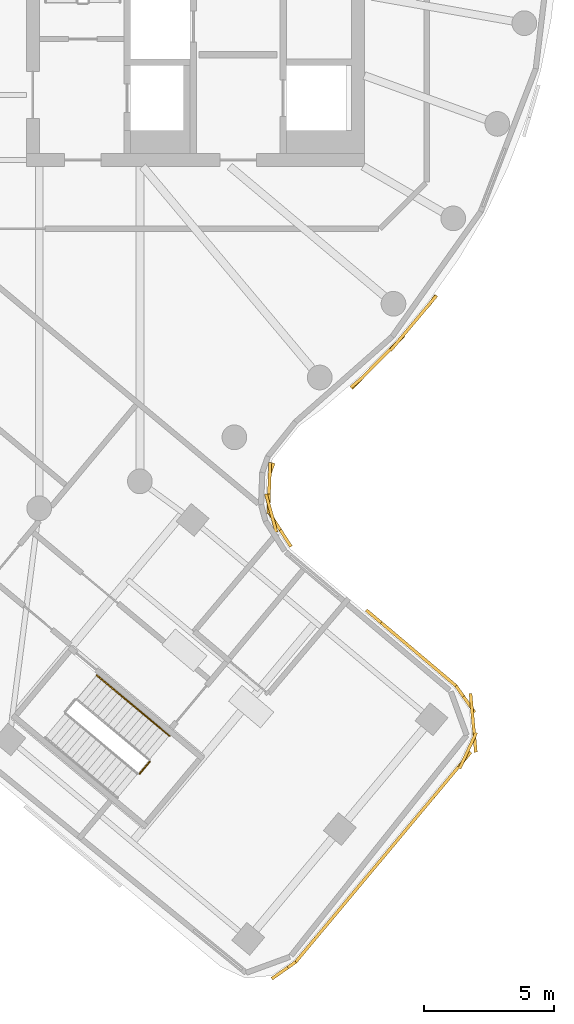
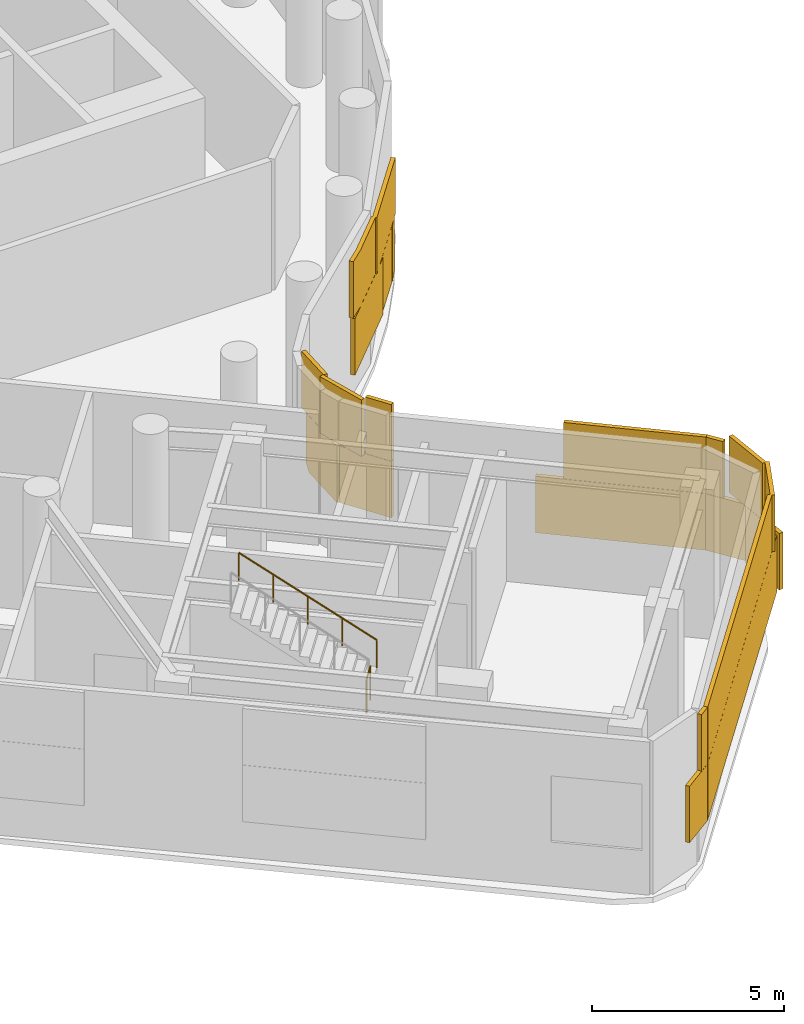
# One storey, part 14 of 19: 4 coverings, 2 railings.
"""IFC4 building model written with IfcOpenShell, lengths in metres."""

from ifc_helpers import new_model, si_unit, direction, frame, origin, origin_2d, place, context, subcontext, project, spatial, rectangle, circle, extrude, material, layer, layer_set, type_object, element, save


model = new_model("IFC4")

# Units and contexts
model_context = context("Model", 3, precision=1e-05, world=origin(), true_north=direction((0.0, 1.0)))
body_context = subcontext(model_context, "Body", "Model", "MODEL_VIEW")
ifc_project = project(units=[si_unit("LENGTHUNIT", "METRE"), si_unit("AREAUNIT", "SQUARE_METRE"), si_unit("VOLUMEUNIT", "CUBIC_METRE"), si_unit("PLANEANGLEUNIT", "RADIAN"), si_unit("MASSUNIT", "GRAM", prefix="KILO")], contexts=[model_context])

# Site, building, storey
site_placement = place(None, origin())
site = spatial("IfcSite", under=ifc_project, at=site_placement, CompositionType="ELEMENT")
building_placement = place(site_placement, origin())
building = spatial("IfcBuilding", under=site, at=building_placement, Name="Tamarind Cross Interchange Tower", CompositionType="ELEMENT")
storey_placement = place(building_placement, frame((0.0, 0.0, 214.89990234375)))
storey = spatial("IfcBuildingStorey", under=building, at=storey_placement, Name="L54", CompositionType="ELEMENT", Elevation=214.89990234375)

# Railings
ifc_material_1 = material(Name="Stair guard")
railing_type_1 = type_object("IfcRailingType", Name="Stair guard", PredefinedType="GUARDRAIL", material=ifc_material_1)
railing_1_placement = place(storey_placement, frame((7.858154296875, -32.857177734375, 2.5)))
element("IfcRailing", 1, at=railing_1_placement, inside=storey, type_object=railing_type_1, Name="L54 ST6 stair guard 2", PredefinedType="GUARDRAIL", context=body_context, shape_type="SweptSolid", body=[
    extrude(circle(Radius=0.02392578125, at=origin_2d()), frame((0.0, 0.0, 1.076171875), z_axis=(0.640784470718, 0.767720823012, 0.0), x_axis=(-0.767720823012, 0.640784470718, 0.0)), (0.0, 0.0, 1.0), 0.60009765625),
    extrude(circle(Radius=0.02099609375, at=origin_2d()), origin(), (0.0, 0.0, 1.0), 1.052001953125),
    extrude(circle(Radius=0.02099609375, at=origin_2d()), frame((0.384521484375, 0.460693359375, 0.0)), (0.0, 0.0, 1.0), 1.052001953125),
])
ifc_material_2 = material(Name="Stair handrail")
railing_type_2 = type_object("IfcRailingType", Name="Stair handrail", PredefinedType="HANDRAIL", material=ifc_material_2)
railing_2_placement = place(storey_placement, frame((9.00537109375, -31.40478515625, 2.666748046875)))
element("IfcRailing", 2, at=railing_2_placement, inside=storey, type_object=railing_type_2, Name="L54 ST6 stair handrail 2", PredefinedType="HANDRAIL", context=body_context, shape_type="SweptSolid", body=[
    extrude(circle(Radius=0.02392578125, at=origin_2d()), frame((0.0, 0.0, 0.8759765625), z_axis=(-0.646372656024, 0.539425000698, 0.539650866919), x_axis=(-0.64073180246, -0.76776477994, 0.0)), (0.0, 0.0, 1.0), 4.32373046875),
    extrude(circle(Radius=0.02099609375, at=origin_2d()), origin(), (0.0, 0.0, 1.0), 0.851806640625),
    extrude(circle(Radius=0.02099609375, at=origin_2d()), frame((-0.69873046875, 0.5830078125, 0.583251953125)), (0.0, 0.0, 1.0), 0.851806640625),
    extrude(circle(Radius=0.02099609375, at=origin_2d()), frame((-1.3974609375, 1.166015625, 1.16650390625)), (0.0, 0.0, 1.0), 0.851806640625),
    extrude(circle(Radius=0.02099609375, at=origin_2d()), frame((-2.095947265625, 1.749267578125, 1.75)), (0.0, 0.0, 1.0), 0.851806640625),
    extrude(circle(Radius=0.02099609375, at=origin_2d()), frame((-2.794677734375, 2.332275390625, 2.333251953125)), (0.0, 0.0, 1.0), 0.851806640625),
])

# Coverings
ifc_material_3 = material(Name="Terracotta", Category="masonry")
ifc_layer = layer(ifc_material_3, 0.1201171875)
ifc_layer_set = layer_set([ifc_layer], Name="Terracotta")
covering_type = type_object("IfcCoveringType", Name="Terracotta baguette screen unit", PredefinedType="MOLDING", material=ifc_layer_set)
covering_1_placement = place(storey_placement, origin())
element("IfcCovering", 3, at=covering_1_placement, inside=storey, type_object=covering_type, Name="SCR-L54-03-02", PredefinedType="MOLDING", context=body_context, shape_type="SweptSolid", body=[
    extrude(rectangle(XDim=1.126953125, YDim=0.1201171875, at=origin_2d()), frame((13.402587890625, -40.4169921875, 1.404052734375), z_axis=(0.0, 0.0, 1.0), x_axis=(0.81764359992, 0.575724711567, 0.0)), (0.0, 0.0, 1.0), 1.7919921875),
    extrude(rectangle(XDim=0.376953125, YDim=0.1201171875, at=origin_2d()), frame((13.708984375, -40.201171875, 3.2041015625), z_axis=(0.0, 0.0, 1.0), x_axis=(0.81764359992, 0.575724711567, 0.0)), (0.0, 0.0, 1.0), 1.7919921875),
])
covering_2_placement = place(storey_placement, origin())
element("IfcCovering", 4, at=covering_2_placement, inside=storey, type_object=covering_type, Name="SCR-L54-04-00", PredefinedType="MOLDING", context=body_context, shape_type="SweptSolid", body=[
    extrude(rectangle(XDim=1.510009765625, YDim=0.1201171875, at=origin_2d()), frame((14.339599609375, -39.51953125, 1.404052734375), z_axis=(0.0, 0.0, 1.0), x_axis=(0.640774549773, 0.767729103501, 0.0)), (0.0, 0.0, 1.0), 1.7919921875),
    extrude(rectangle(XDim=1.52001953125, YDim=0.1201171875, at=origin_2d()), frame((15.30078125, -38.3681640625, 1.404052734375), z_axis=(0.0, 0.0, 1.0), x_axis=(0.640774549773, 0.767729103501, 0.0)), (0.0, 0.0, 1.0), 1.7919921875),
    extrude(rectangle(XDim=1.52001953125, YDim=0.1201171875, at=origin_2d()), frame((16.261962890625, -37.216552734375, 1.404052734375), z_axis=(0.0, 0.0, 1.0), x_axis=(0.640774549773, 0.767729103501, 0.0)), (0.0, 0.0, 1.0), 1.7919921875),
    extrude(rectangle(XDim=1.52001953125, YDim=0.1201171875, at=origin_2d()), frame((17.22314453125, -36.06494140625, 1.404052734375), z_axis=(0.0, 0.0, 1.0), x_axis=(0.640774549773, 0.767729103501, 0.0)), (0.0, 0.0, 1.0), 1.7919921875),
    extrude(rectangle(XDim=1.52001953125, YDim=0.1201171875, at=origin_2d()), frame((18.184326171875, -34.913330078125, 1.404052734375), z_axis=(0.0, 0.0, 1.0), x_axis=(0.640774549773, 0.767729103501, 0.0)), (0.0, 0.0, 1.0), 1.7919921875),
    extrude(rectangle(XDim=1.52001953125, YDim=0.1201171875, at=origin_2d()), frame((19.1455078125, -33.76171875, 1.404052734375), z_axis=(0.0, 0.0, 1.0), x_axis=(0.640774549773, 0.767729103501, 0.0)), (0.0, 0.0, 1.0), 1.7919921875),
    extrude(rectangle(XDim=1.52001953125, YDim=0.1201171875, at=origin_2d()), frame((20.106689453125, -32.610107421875, 1.404052734375), z_axis=(0.0, 0.0, 1.0), x_axis=(0.640774549773, 0.767729103501, 0.0)), (0.0, 0.0, 1.0), 1.7919921875),
    extrude(rectangle(XDim=1.52001953125, YDim=0.1201171875, at=origin_2d()), frame((20.71826171875, -31.2734375, 1.404052734375), z_axis=(0.0, 0.0, 1.0), x_axis=(-0.089770425844, 0.995962484556, 0.0)), (0.0, 0.0, 1.0), 1.7919921875),
    extrude(rectangle(XDim=1.259521484375, YDim=0.1201171875, at=origin_2d()), frame((20.3779296875, -29.98388671875, 1.404052734375), z_axis=(0.0, 0.0, 1.0), x_axis=(-0.575724711567, 0.81764359992, 0.0)), (0.0, 0.0, 1.0), 1.7919921875),
    extrude(rectangle(XDim=0.760009765625, YDim=0.1201171875, at=origin_2d()), frame((14.099365234375, -39.8076171875, 3.2041015625), z_axis=(0.0, 0.0, 1.0), x_axis=(0.640774549773, 0.767729103501, 0.0)), (0.0, 0.0, 1.0), 1.7919921875),
    extrude(rectangle(XDim=1.52001953125, YDim=0.1201171875, at=origin_2d()), frame((14.8203125, -38.94384765625, 3.2041015625), z_axis=(0.0, 0.0, 1.0), x_axis=(0.640774549773, 0.767729103501, 0.0)), (0.0, 0.0, 1.0), 1.7919921875),
    extrude(rectangle(XDim=1.52001953125, YDim=0.1201171875, at=origin_2d()), frame((15.781494140625, -37.792236328125, 3.2041015625), z_axis=(0.0, 0.0, 1.0), x_axis=(0.640774549773, 0.767729103501, 0.0)), (0.0, 0.0, 1.0), 1.7919921875),
    extrude(rectangle(XDim=1.52001953125, YDim=0.1201171875, at=origin_2d()), frame((16.74267578125, -36.640625, 3.2041015625), z_axis=(0.0, 0.0, 1.0), x_axis=(0.640774549773, 0.767729103501, 0.0)), (0.0, 0.0, 1.0), 1.7919921875),
    extrude(rectangle(XDim=1.52001953125, YDim=0.1201171875, at=origin_2d()), frame((17.703857421875, -35.489013671875, 3.2041015625), z_axis=(0.0, 0.0, 1.0), x_axis=(0.640774549773, 0.767729103501, 0.0)), (0.0, 0.0, 1.0), 1.7919921875),
    extrude(rectangle(XDim=1.52001953125, YDim=0.1201171875, at=origin_2d()), frame((18.664794921875, -34.33740234375, 3.2041015625), z_axis=(0.0, 0.0, 1.0), x_axis=(0.640774549773, 0.767729103501, 0.0)), (0.0, 0.0, 1.0), 1.7919921875),
    extrude(rectangle(XDim=1.52001953125, YDim=0.1201171875, at=origin_2d()), frame((19.6259765625, -33.185791015625, 3.2041015625), z_axis=(0.0, 0.0, 1.0), x_axis=(0.640774549773, 0.767729103501, 0.0)), (0.0, 0.0, 1.0), 1.7919921875),
    extrude(rectangle(XDim=1.52001953125, YDim=0.1201171875, at=origin_2d()), frame((20.482177734375, -31.9677734375, 3.2041015625), z_axis=(0.0, 0.0, 1.0), x_axis=(0.420237772989, 0.907414025764, 0.0)), (0.0, 0.0, 1.0), 1.7919921875),
    extrude(rectangle(XDim=1.52001953125, YDim=0.1201171875, at=origin_2d()), frame((20.65087890625, -30.526611328125, 3.2041015625), z_axis=(0.0, 0.0, 1.0), x_axis=(-0.089770425844, 0.995962484556, 0.0)), (0.0, 0.0, 1.0), 1.7919921875),
    extrude(rectangle(XDim=0.509521484375, YDim=0.1201171875, at=origin_2d()), frame((20.162109375, -29.67724609375, 3.2041015625), z_axis=(0.0, 0.0, 1.0), x_axis=(-0.575724711567, 0.81764359992, 0.0)), (0.0, 0.0, 1.0), 1.7919921875),
])
covering_3_placement = place(storey_placement, origin())
element("IfcCovering", 5, at=covering_3_placement, inside=storey, type_object=covering_type, Name="SCR-L54-05-00", PredefinedType="MOLDING", context=body_context, shape_type="SweptSolid", body=[
    extrude(rectangle(XDim=1.510009765625, YDim=0.1201171875, at=origin_2d()), frame((19.4453125, -28.9892578125, 1.404052734375), z_axis=(0.0, 0.0, 1.0), x_axis=(-0.764191475133, 0.64498944901, 0.0)), (0.0, 0.0, 1.0), 1.7919921875),
    extrude(rectangle(XDim=1.52001953125, YDim=0.1201171875, at=origin_2d()), frame((18.298828125, -28.02197265625, 1.404052734375), z_axis=(0.0, 0.0, 1.0), x_axis=(-0.764191475133, 0.64498944901, 0.0)), (0.0, 0.0, 1.0), 1.7919921875),
    extrude(rectangle(XDim=1.52001953125, YDim=0.1201171875, at=origin_2d()), frame((17.152587890625, -27.054443359375, 1.404052734375), z_axis=(0.0, 0.0, 1.0), x_axis=(-0.764191475133, 0.64498944901, 0.0)), (0.0, 0.0, 1.0), 1.7919921875),
    extrude(rectangle(XDim=0.760009765625, YDim=0.1201171875, at=origin_2d()), frame((19.731689453125, -29.231201171875, 3.2041015625), z_axis=(0.0, 0.0, 1.0), x_axis=(-0.764191475133, 0.64498944901, 0.0)), (0.0, 0.0, 1.0), 1.7919921875),
    extrude(rectangle(XDim=1.52001953125, YDim=0.1201171875, at=origin_2d()), frame((18.8720703125, -28.505615234375, 3.2041015625), z_axis=(0.0, 0.0, 1.0), x_axis=(-0.764191475133, 0.64498944901, 0.0)), (0.0, 0.0, 1.0), 1.7919921875),
    extrude(rectangle(XDim=1.52001953125, YDim=0.1201171875, at=origin_2d()), frame((17.725830078125, -27.5380859375, 3.2041015625), z_axis=(0.0, 0.0, 1.0), x_axis=(-0.764191475133, 0.64498944901, 0.0)), (0.0, 0.0, 1.0), 1.7919921875),
])
covering_4_placement = place(storey_placement, origin())
element("IfcCovering", 6, at=covering_4_placement, inside=storey, type_object=covering_type, Name="SCR-L54-06-00", PredefinedType="MOLDING", context=body_context, shape_type="SweptSolid", body=[
    extrude(rectangle(XDim=1.510009765625, YDim=0.1201171875, at=origin_2d()), frame((13.26953125, -23.488037109375, 1.404052734375), z_axis=(0.0, 0.0, 1.0), x_axis=(-0.54043201221, 0.841387687204, 0.0)), (0.0, 0.0, 1.0), 1.7919921875),
    extrude(rectangle(XDim=1.52001953125, YDim=0.1201171875, at=origin_2d()), frame((12.833740234375, -22.09716796875, 1.404052734375), z_axis=(0.0, 0.0, 1.0), x_axis=(0.03771882243, 0.999288392024, 0.0)), (0.0, 0.0, 1.0), 1.7919921875),
    extrude(rectangle(XDim=0.46630859375, YDim=0.1201171875, at=origin_2d()), frame((12.9306640625, -21.13134765625, 1.404052734375), z_axis=(0.0, 0.0, 1.0), x_axis=(0.335434954625, 0.942063369002, 0.0)), (0.0, 0.0, 1.0), 1.7919921875),
    extrude(rectangle(XDim=1.353759765625, YDim=0.1201171875, at=origin_2d()), frame((16.48095703125, -17.5576171875, 1.404052734375), z_axis=(0.0, 0.0, 1.0), x_axis=(0.704057148523, 0.710143317658, 0.0)), (0.0, 0.0, 1.0), 1.7919921875),
    extrude(rectangle(XDim=1.52001953125, YDim=0.1201171875, at=origin_2d()), frame((17.48193359375, -16.548095703125, 1.404052734375), z_axis=(0.0, 0.0, 1.0), x_axis=(0.704057148523, 0.710143317658, 0.0)), (0.0, 0.0, 1.0), 1.7919921875),
    extrude(rectangle(XDim=1.52001953125, YDim=0.1201171875, at=origin_2d()), frame((18.47314453125, -15.423583984375, 1.404052734375), z_axis=(0.0, 0.0, 1.0), x_axis=(0.643009266048, 0.765858396687, 0.0)), (0.0, 0.0, 1.0), 1.7919921875),
    extrude(rectangle(XDim=0.5009765625, YDim=0.1201171875, at=origin_2d()), frame((19.10888671875, -14.657958984375, 1.404052734375), z_axis=(0.0, 0.0, 1.0), x_axis=(0.577568978284, 0.816341886298, 0.0)), (0.0, 0.0, 1.0), 1.7919921875),
    extrude(rectangle(XDim=0.760009765625, YDim=0.1201171875, at=origin_2d()), frame((13.47216796875, -23.8037109375, 3.2041015625), z_axis=(0.0, 0.0, 1.0), x_axis=(-0.54043201221, 0.841387687204, 0.0)), (0.0, 0.0, 1.0), 1.7919921875),
    extrude(rectangle(XDim=1.52001953125, YDim=0.1201171875, at=origin_2d()), frame((12.91650390625, -22.833740234375, 3.2041015625), z_axis=(0.0, 0.0, 1.0), x_axis=(-0.26346403158, 0.964669220025, 0.0)), (0.0, 0.0, 1.0), 1.7919921875),
    extrude(rectangle(XDim=1.21630859375, YDim=0.1201171875, at=origin_2d()), frame((12.8564453125, -21.494384765625, 3.2041015625), z_axis=(0.0, 0.0, 1.0), x_axis=(0.03771882243, 0.999288392024, 0.0)), (0.0, 0.0, 1.0), 1.7919921875),
    extrude(rectangle(XDim=0.603759765625, YDim=0.1201171875, at=origin_2d()), frame((16.203125, -17.80908203125, 3.2041015625), z_axis=(0.0, 0.0, 1.0), x_axis=(0.760295606781, 0.64957723968, 0.0)), (0.0, 0.0, 1.0), 1.7919921875),
    extrude(rectangle(XDim=1.52001953125, YDim=0.1201171875, at=origin_2d()), frame((16.953857421875, -17.08056640625, 3.2041015625), z_axis=(0.0, 0.0, 1.0), x_axis=(0.704057148523, 0.710143317658, 0.0)), (0.0, 0.0, 1.0), 1.7919921875),
    extrude(rectangle(XDim=1.52001953125, YDim=0.1201171875, at=origin_2d()), frame((17.990966796875, -15.998046875, 3.2041015625), z_axis=(0.0, 0.0, 1.0), x_axis=(0.643009266048, 0.765858396687, 0.0)), (0.0, 0.0, 1.0), 1.7919921875),
    extrude(rectangle(XDim=1.2509765625, YDim=0.1201171875, at=origin_2d()), frame((18.872314453125, -14.948486328125, 3.2041015625), z_axis=(0.0, 0.0, 1.0), x_axis=(0.643009266048, 0.765858396687, 0.0)), (0.0, 0.0, 1.0), 1.7919921875),
])

save(model, "model.ifc")
